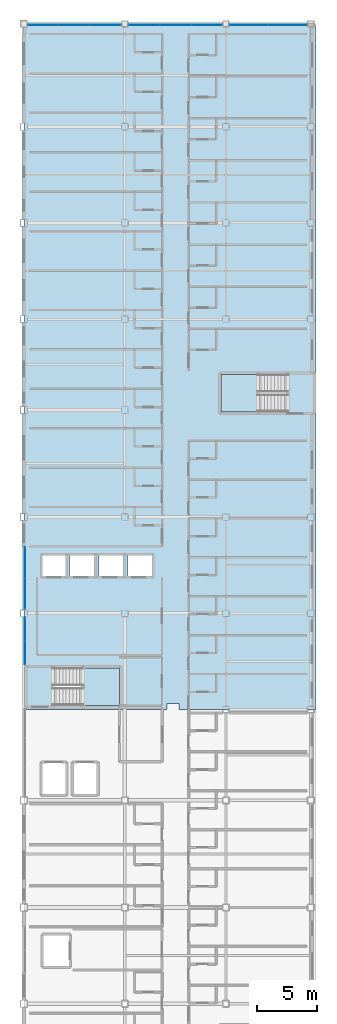
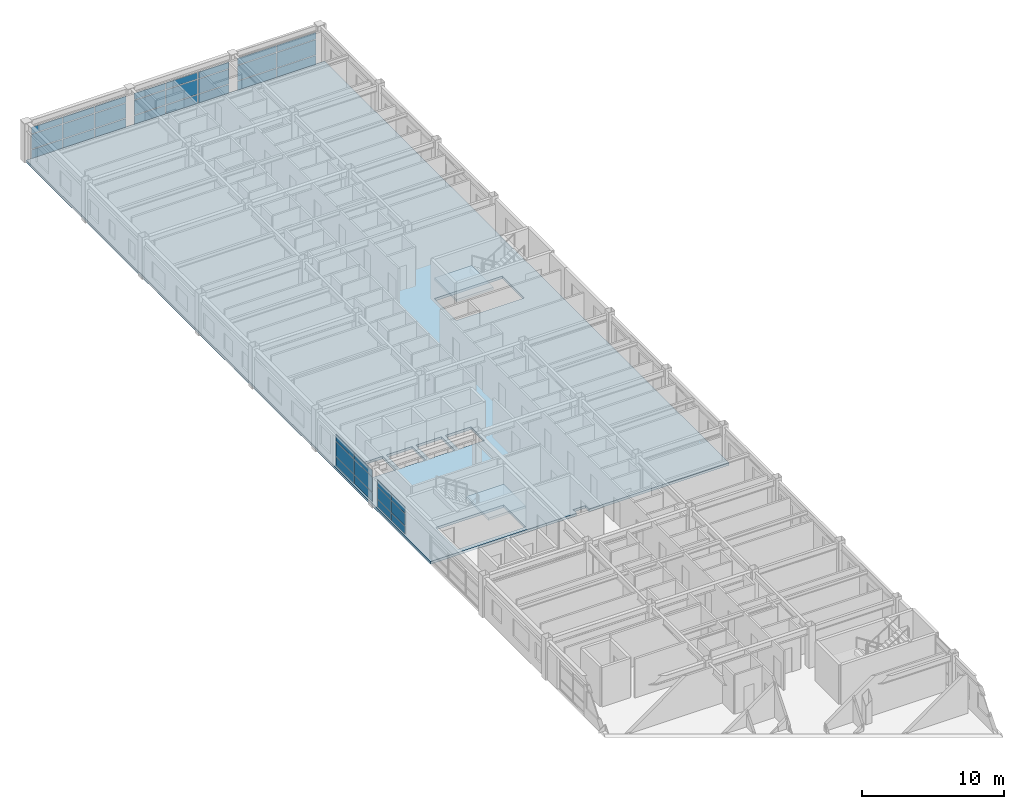
# One storey, part 23 of 36: 36 plates, 3 slabs, 7 elements without a shape of their own.
"""IFC4 building model written with IfcOpenShell, lengths in metres."""

from ifc_helpers import new_model, si_unit, direction, frame, origin, origin_2d, place, context, subcontext, project, spatial, polyline, rectangle, outline, extrude, material, layer, layer_set, type_object, element, aggregate, save


model = new_model("IFC4")

# Units and contexts
model_context = context("Model", 3, precision=1e-05, world=origin(), true_north=direction((0.0, 1.0)))
body_context = subcontext(model_context, "Body", "Model", "MODEL_VIEW")
ifc_project = project(units=[si_unit("LENGTHUNIT", "METRE"), si_unit("AREAUNIT", "SQUARE_METRE"), si_unit("VOLUMEUNIT", "CUBIC_METRE"), si_unit("PLANEANGLEUNIT", "RADIAN"), si_unit("MASSUNIT", "GRAM", prefix="KILO")], contexts=[model_context])

# Site, building, storey
site_placement = place(None, origin())
site = spatial("IfcSite", under=ifc_project, at=site_placement, CompositionType="ELEMENT")
building_placement = place(site_placement, origin())
building = spatial("IfcBuilding", under=site, at=building_placement, Name="Kazehara Bluff Congress Hotel", CompositionType="ELEMENT")
storey_placement = place(building_placement, frame((0.0, 0.0, 28.199951171875)))
storey = spatial("IfcBuildingStorey", under=building, at=storey_placement, Name="L06", CompositionType="ELEMENT", Elevation=28.199951171875)

# Curtain wall, plates
ifc_material_1 = material(Name="Anodised aluminium", Category="aluminium")
ifc_layer_1 = layer(ifc_material_1, 0.159912109375)
ifc_layer_set_1 = layer_set([ifc_layer_1], Name="Anodised aluminium")
curtain_wall_type_1 = type_object("IfcCurtainWallType", Name="TP-CW-171", PredefinedType="NOTDEFINED", material=ifc_layer_set_1)
curtain_wall_1_placement = place(storey_placement, origin())
curtain_wall_1 = element("IfcCurtainWall", 1, at=curtain_wall_1_placement, inside=storey, type_object=curtain_wall_type_1, Name="L06 curtain wall CW-171 CW-ENC-V5-L06-14791-10535", PredefinedType="NOTDEFINED")
ifc_material_2 = material(Name="Insulated low-E double glazing", Category="glass")
ifc_layer_2 = layer(ifc_material_2, 0.028076171875)
ifc_layer_set_2 = layer_set([ifc_layer_2], Name="Insulated low-E double glazing")
plate_type_1 = type_object("IfcPlateType", Name="TP-CWP-01", PredefinedType="CURTAIN_PANEL", material=ifc_layer_set_2)
plate_1_placement = place(storey_placement, frame((145.3203125, 105.35009765625, 0.06494140625), z_axis=(0.0, 0.0, 1.0), x_axis=(1.0, 0.0, 0.0)))
plate_1 = element("IfcPlate", 2, at=plate_1_placement, type_object=plate_type_1, Name="CW-171 panel 1.1", PredefinedType="CURTAIN_PANEL", context=body_context, shape_type="SweptSolid", body=[
    extrude(rectangle(XDim=2.5107421875, YDim=0.028076171875, at=origin_2d()), origin(), (0.0, 0.0, 1.0), 0.742431640625),
])
plate_2_placement = place(storey_placement, frame((145.3203125, 105.35009765625, 0.87255859375), z_axis=(0.0, 0.0, 1.0), x_axis=(1.0, 0.0, 0.0)))
plate_2 = element("IfcPlate", 3, at=plate_2_placement, type_object=plate_type_1, Name="CW-171 panel 1.2", PredefinedType="CURTAIN_PANEL", context=body_context, shape_type="SweptSolid", body=[
    extrude(rectangle(XDim=2.5107421875, YDim=0.028076171875, at=origin_2d()), origin(), (0.0, 0.0, 1.0), 1.25),
])
plate_3_placement = place(storey_placement, frame((145.3203125, 105.35009765625, 2.1875), z_axis=(0.0, 0.0, 1.0), x_axis=(1.0, 0.0, 0.0)))
plate_3 = element("IfcPlate", 4, at=plate_3_placement, type_object=plate_type_1, Name="CW-171 panel 1.3", PredefinedType="CURTAIN_PANEL", context=body_context, shape_type="SweptSolid", body=[
    extrude(rectangle(XDim=2.5107421875, YDim=0.028076171875, at=origin_2d()), origin(), (0.0, 0.0, 1.0), 0.552490234375),
])
plate_4_placement = place(storey_placement, frame((147.91259765625, 105.35009765625, 0.06494140625), z_axis=(0.0, 0.0, 1.0), x_axis=(1.0, 0.0, 0.0)))
plate_4 = element("IfcPlate", 5, at=plate_4_placement, type_object=plate_type_1, Name="CW-171 panel 2.1", PredefinedType="CURTAIN_PANEL", context=body_context, shape_type="SweptSolid", body=[
    extrude(rectangle(XDim=2.543212890625, YDim=0.028076171875, at=origin_2d()), origin(), (0.0, 0.0, 1.0), 0.742431640625),
])
plate_5_placement = place(storey_placement, frame((147.91259765625, 105.35009765625, 0.87255859375), z_axis=(0.0, 0.0, 1.0), x_axis=(1.0, 0.0, 0.0)))
plate_5 = element("IfcPlate", 6, at=plate_5_placement, type_object=plate_type_1, Name="CW-171 panel 2.2", PredefinedType="CURTAIN_PANEL", context=body_context, shape_type="SweptSolid", body=[
    extrude(rectangle(XDim=2.543212890625, YDim=0.028076171875, at=origin_2d()), origin(), (0.0, 0.0, 1.0), 1.25),
])
plate_6_placement = place(storey_placement, frame((147.91259765625, 105.35009765625, 2.1875), z_axis=(0.0, 0.0, 1.0), x_axis=(1.0, 0.0, 0.0)))
plate_6 = element("IfcPlate", 7, at=plate_6_placement, type_object=plate_type_1, Name="CW-171 panel 2.3", PredefinedType="CURTAIN_PANEL", context=body_context, shape_type="SweptSolid", body=[
    extrude(rectangle(XDim=2.543212890625, YDim=0.028076171875, at=origin_2d()), origin(), (0.0, 0.0, 1.0), 0.552490234375),
])
plate_7_placement = place(storey_placement, frame((150.504638671875, 105.35009765625, 0.06494140625), z_axis=(0.0, 0.0, 1.0), x_axis=(1.0, 0.0, 0.0)))
plate_7 = element("IfcPlate", 8, at=plate_7_placement, type_object=plate_type_1, Name="CW-171 panel 3.1", PredefinedType="CURTAIN_PANEL", context=body_context, shape_type="SweptSolid", body=[
    extrude(rectangle(XDim=2.5107421875, YDim=0.028076171875, at=origin_2d()), origin(), (0.0, 0.0, 1.0), 0.742431640625),
])
plate_8_placement = place(storey_placement, frame((150.504638671875, 105.35009765625, 0.87255859375), z_axis=(0.0, 0.0, 1.0), x_axis=(1.0, 0.0, 0.0)))
plate_8 = element("IfcPlate", 9, at=plate_8_placement, type_object=plate_type_1, Name="CW-171 panel 3.2", PredefinedType="CURTAIN_PANEL", context=body_context, shape_type="SweptSolid", body=[
    extrude(rectangle(XDim=2.5107421875, YDim=0.028076171875, at=origin_2d()), origin(), (0.0, 0.0, 1.0), 1.25),
])
plate_9_placement = place(storey_placement, frame((150.504638671875, 105.35009765625, 2.1875), z_axis=(0.0, 0.0, 1.0), x_axis=(1.0, 0.0, 0.0)))
plate_9 = element("IfcPlate", 10, at=plate_9_placement, type_object=plate_type_1, Name="CW-171 panel 3.3", PredefinedType="CURTAIN_PANEL", context=body_context, shape_type="SweptSolid", body=[
    extrude(rectangle(XDim=2.5107421875, YDim=0.028076171875, at=origin_2d()), origin(), (0.0, 0.0, 1.0), 0.552490234375),
])
aggregate(curtain_wall_1, [plate_1, plate_2, plate_3, plate_4, plate_5, plate_6, plate_7, plate_8, plate_9])

ifc_material_3 = material(Name="Anodised aluminium", Category="aluminium")
ifc_layer_3 = layer(ifc_material_3, 0.159912109375)
ifc_layer_set_3 = layer_set([ifc_layer_3], Name="Anodised aluminium")
curtain_wall_type_2 = type_object("IfcCurtainWallType", Name="TP-CW-172", PredefinedType="NOTDEFINED", material=ifc_layer_set_3)
curtain_wall_2_placement = place(storey_placement, origin())
curtain_wall_2 = element("IfcCurtainWall", 11, at=curtain_wall_2_placement, inside=storey, type_object=curtain_wall_type_2, Name="L06 curtain wall CW-172 CW-ENC-V5-L06-15630-10535", PredefinedType="NOTDEFINED")
plate_10_placement = place(storey_placement, frame((153.699462890625, 105.35009765625, 0.06494140625), z_axis=(0.0, 0.0, 1.0), x_axis=(1.0, 0.0, 0.0)))
plate_10 = element("IfcPlate", 12, at=plate_10_placement, type_object=plate_type_1, Name="CW-172 panel 1.1", PredefinedType="CURTAIN_PANEL", context=body_context, shape_type="SweptSolid", body=[
    extrude(rectangle(XDim=2.519287109375, YDim=0.028076171875, at=origin_2d()), origin(), (0.0, 0.0, 1.0), 0.742431640625),
])
plate_11_placement = place(storey_placement, frame((153.699462890625, 105.35009765625, 0.87255859375), z_axis=(0.0, 0.0, 1.0), x_axis=(1.0, 0.0, 0.0)))
plate_11 = element("IfcPlate", 13, at=plate_11_placement, type_object=plate_type_1, Name="CW-172 panel 1.2", PredefinedType="CURTAIN_PANEL", context=body_context, shape_type="SweptSolid", body=[
    extrude(rectangle(XDim=2.519287109375, YDim=0.028076171875, at=origin_2d()), origin(), (0.0, 0.0, 1.0), 1.25),
])
plate_12_placement = place(storey_placement, frame((153.699462890625, 105.35009765625, 2.1875), z_axis=(0.0, 0.0, 1.0), x_axis=(1.0, 0.0, 0.0)))
plate_12 = element("IfcPlate", 14, at=plate_12_placement, type_object=plate_type_1, Name="CW-172 panel 1.3", PredefinedType="CURTAIN_PANEL", context=body_context, shape_type="SweptSolid", body=[
    extrude(rectangle(XDim=2.519287109375, YDim=0.028076171875, at=origin_2d()), origin(), (0.0, 0.0, 1.0), 0.552490234375),
])
plate_13_placement = place(storey_placement, frame((156.300048828125, 105.35009765625, 0.06494140625), z_axis=(0.0, 0.0, 1.0), x_axis=(1.0, 0.0, 0.0)))
plate_13 = element("IfcPlate", 15, at=plate_13_placement, type_object=plate_type_1, Name="CW-172 panel 2.1", PredefinedType="CURTAIN_PANEL", context=body_context, shape_type="SweptSolid", body=[
    extrude(rectangle(XDim=2.5517578125, YDim=0.028076171875, at=origin_2d()), origin(), (0.0, 0.0, 1.0), 0.742431640625),
])
plate_14_placement = place(storey_placement, frame((156.300048828125, 105.35009765625, 0.87255859375), z_axis=(0.0, 0.0, 1.0), x_axis=(1.0, 0.0, 0.0)))
plate_14 = element("IfcPlate", 16, at=plate_14_placement, type_object=plate_type_1, Name="CW-172 panel 2.2", PredefinedType="CURTAIN_PANEL", context=body_context, shape_type="SweptSolid", body=[
    extrude(rectangle(XDim=2.5517578125, YDim=0.028076171875, at=origin_2d()), origin(), (0.0, 0.0, 1.0), 1.25),
])
plate_15_placement = place(storey_placement, frame((156.300048828125, 105.35009765625, 2.1875), z_axis=(0.0, 0.0, 1.0), x_axis=(1.0, 0.0, 0.0)))
plate_15 = element("IfcPlate", 17, at=plate_15_placement, type_object=plate_type_1, Name="CW-172 panel 2.3", PredefinedType="CURTAIN_PANEL", context=body_context, shape_type="SweptSolid", body=[
    extrude(rectangle(XDim=2.5517578125, YDim=0.028076171875, at=origin_2d()), origin(), (0.0, 0.0, 1.0), 0.552490234375),
])
plate_16_placement = place(storey_placement, frame((158.900390625, 105.35009765625, 0.06494140625), z_axis=(0.0, 0.0, 1.0), x_axis=(1.0, 0.0, 0.0)))
plate_16 = element("IfcPlate", 18, at=plate_16_placement, type_object=plate_type_1, Name="CW-172 panel 3.1", PredefinedType="CURTAIN_PANEL", context=body_context, shape_type="SweptSolid", body=[
    extrude(rectangle(XDim=2.519287109375, YDim=0.028076171875, at=origin_2d()), origin(), (0.0, 0.0, 1.0), 0.742431640625),
])
plate_17_placement = place(storey_placement, frame((158.900390625, 105.35009765625, 0.87255859375), z_axis=(0.0, 0.0, 1.0), x_axis=(1.0, 0.0, 0.0)))
plate_17 = element("IfcPlate", 19, at=plate_17_placement, type_object=plate_type_1, Name="CW-172 panel 3.2", PredefinedType="CURTAIN_PANEL", context=body_context, shape_type="SweptSolid", body=[
    extrude(rectangle(XDim=2.519287109375, YDim=0.028076171875, at=origin_2d()), origin(), (0.0, 0.0, 1.0), 1.25),
])
plate_18_placement = place(storey_placement, frame((158.900390625, 105.35009765625, 2.1875), z_axis=(0.0, 0.0, 1.0), x_axis=(1.0, 0.0, 0.0)))
plate_18 = element("IfcPlate", 20, at=plate_18_placement, type_object=plate_type_1, Name="CW-172 panel 3.3", PredefinedType="CURTAIN_PANEL", context=body_context, shape_type="SweptSolid", body=[
    extrude(rectangle(XDim=2.519287109375, YDim=0.028076171875, at=origin_2d()), origin(), (0.0, 0.0, 1.0), 0.552490234375),
])
aggregate(curtain_wall_2, [plate_10, plate_11, plate_12, plate_13, plate_14, plate_15, plate_16, plate_17, plate_18])

ifc_material_4 = material(Name="Anodised aluminium", Category="aluminium")
ifc_layer_4 = layer(ifc_material_4, 0.159912109375)
ifc_layer_set_4 = layer_set([ifc_layer_4], Name="Anodised aluminium")
curtain_wall_type_3 = type_object("IfcCurtainWallType", Name="TP-CW-173", PredefinedType="NOTDEFINED", material=ifc_layer_set_4)
curtain_wall_3_placement = place(storey_placement, origin())
curtain_wall_3 = element("IfcCurtainWall", 21, at=curtain_wall_3_placement, inside=storey, type_object=curtain_wall_type_3, Name="L06 curtain wall CW-173 CW-ENC-V5-L06-16402-10535", PredefinedType="NOTDEFINED")
plate_19_placement = place(storey_placement, frame((162.4150390625, 105.35009765625, 0.06005859375), z_axis=(0.0, 0.0, 1.0), x_axis=(1.0, 0.0, 0.0)))
plate_19 = element("IfcPlate", 22, at=plate_19_placement, type_object=plate_type_1, Name="CW-173 panel 1.1", PredefinedType="CURTAIN_PANEL", context=body_context, shape_type="SweptSolid", body=[
    extrude(rectangle(XDim=3.159912109375, YDim=0.028076171875, at=origin_2d()), origin(), (0.0, 0.0, 1.0), 0.764892578125),
])
plate_20_placement = place(storey_placement, frame((162.4150390625, 105.35009765625, 0.885009765625), z_axis=(0.0, 0.0, 1.0), x_axis=(1.0, 0.0, 0.0)))
plate_20 = element("IfcPlate", 23, at=plate_20_placement, type_object=plate_type_1, Name="CW-173 panel 1.2", PredefinedType="CURTAIN_PANEL", context=body_context, shape_type="SweptSolid", body=[
    extrude(rectangle(XDim=3.159912109375, YDim=0.028076171875, at=origin_2d()), origin(), (0.0, 0.0, 1.0), 1.2900390625),
])
plate_21_placement = place(storey_placement, frame((162.4150390625, 105.35009765625, 2.235107421875), z_axis=(0.0, 0.0, 1.0), x_axis=(1.0, 0.0, 0.0)))
plate_21 = element("IfcPlate", 24, at=plate_21_placement, type_object=plate_type_1, Name="CW-173 panel 1.3", PredefinedType="CURTAIN_PANEL", context=body_context, shape_type="SweptSolid", body=[
    extrude(rectangle(XDim=3.159912109375, YDim=0.028076171875, at=origin_2d()), origin(), (0.0, 0.0, 1.0), 0.56005859375),
])
plate_22_placement = place(storey_placement, frame((165.635009765625, 105.35009765625, 0.06005859375), z_axis=(0.0, 0.0, 1.0), x_axis=(1.0, 0.0, 0.0)))
plate_22 = element("IfcPlate", 25, at=plate_22_placement, type_object=plate_type_1, Name="CW-173 panel 2.1", PredefinedType="CURTAIN_PANEL", context=body_context, shape_type="SweptSolid", body=[
    extrude(rectangle(XDim=3.159912109375, YDim=0.028076171875, at=origin_2d()), origin(), (0.0, 0.0, 1.0), 0.764892578125),
])
plate_23_placement = place(storey_placement, frame((165.635009765625, 105.35009765625, 0.885009765625), z_axis=(0.0, 0.0, 1.0), x_axis=(1.0, 0.0, 0.0)))
plate_23 = element("IfcPlate", 26, at=plate_23_placement, type_object=plate_type_1, Name="CW-173 panel 2.2", PredefinedType="CURTAIN_PANEL", context=body_context, shape_type="SweptSolid", body=[
    extrude(rectangle(XDim=3.159912109375, YDim=0.028076171875, at=origin_2d()), origin(), (0.0, 0.0, 1.0), 1.2900390625),
])
plate_24_placement = place(storey_placement, frame((165.635009765625, 105.35009765625, 2.235107421875), z_axis=(0.0, 0.0, 1.0), x_axis=(1.0, 0.0, 0.0)))
plate_24 = element("IfcPlate", 27, at=plate_24_placement, type_object=plate_type_1, Name="CW-173 panel 2.3", PredefinedType="CURTAIN_PANEL", context=body_context, shape_type="SweptSolid", body=[
    extrude(rectangle(XDim=3.159912109375, YDim=0.028076171875, at=origin_2d()), origin(), (0.0, 0.0, 1.0), 0.56005859375),
])
aggregate(curtain_wall_3, [plate_19, plate_20, plate_21, plate_22, plate_23, plate_24])

ifc_material_5 = material(Name="Anodised aluminium", Category="aluminium")
ifc_layer_5 = layer(ifc_material_5, 0.159912109375)
ifc_layer_set_5 = layer_set([ifc_layer_5], Name="Anodised aluminium")
curtain_wall_type_4 = type_object("IfcCurtainWallType", Name="TP-CW-179", PredefinedType="NOTDEFINED", material=ifc_layer_set_5)
curtain_wall_4_placement = place(storey_placement, origin())
curtain_wall_4 = element("IfcCurtainWall", 28, at=curtain_wall_4_placement, inside=storey, type_object=curtain_wall_type_4, Name="L06 curtain wall CW-179 CW-ENC-V5-L06-14380-5938", PredefinedType="NOTDEFINED")
plate_25_placement = place(storey_placement, frame((143.800048828125, 58.077392578125, 0.06005859375), z_axis=(0.0, 0.0, 1.0), x_axis=(0.0, 1.0, 0.0)))
plate_25 = element("IfcPlate", 29, at=plate_25_placement, type_object=plate_type_1, Name="CW-179 panel 1.1", PredefinedType="CURTAIN_PANEL", context=body_context, shape_type="SweptSolid", body=[
    extrude(rectangle(XDim=2.534912109375, YDim=0.028076171875, at=origin_2d()), origin(), (0.0, 0.0, 1.0), 0.75),
])
plate_26_placement = place(storey_placement, frame((143.800048828125, 58.077392578125, 0.8701171875), z_axis=(0.0, 0.0, 1.0), x_axis=(0.0, 1.0, 0.0)))
plate_26 = element("IfcPlate", 30, at=plate_26_placement, type_object=plate_type_1, Name="CW-179 panel 1.2", PredefinedType="CURTAIN_PANEL", context=body_context, shape_type="SweptSolid", body=[
    extrude(rectangle(XDim=2.534912109375, YDim=0.028076171875, at=origin_2d()), origin(), (0.0, 0.0, 1.0), 1.2548828125),
])
plate_27_placement = place(storey_placement, frame((143.800048828125, 58.077392578125, 2.18505859375), z_axis=(0.0, 0.0, 1.0), x_axis=(0.0, 1.0, 0.0)))
plate_27 = element("IfcPlate", 31, at=plate_27_placement, type_object=plate_type_1, Name="CW-179 panel 1.3", PredefinedType="CURTAIN_PANEL", context=body_context, shape_type="SweptSolid", body=[
    extrude(rectangle(XDim=2.534912109375, YDim=0.028076171875, at=origin_2d()), origin(), (0.0, 0.0, 1.0), 0.56005859375),
])
plate_28_placement = place(storey_placement, frame((143.800048828125, 60.672607421875, 0.06005859375), z_axis=(0.0, 0.0, 1.0), x_axis=(0.0, 1.0, 0.0)))
plate_28 = element("IfcPlate", 32, at=plate_28_placement, type_object=plate_type_1, Name="CW-179 panel 2.1", PredefinedType="CURTAIN_PANEL", context=body_context, shape_type="SweptSolid", body=[
    extrude(rectangle(XDim=2.534912109375, YDim=0.028076171875, at=origin_2d()), origin(), (0.0, 0.0, 1.0), 0.75),
])
plate_29_placement = place(storey_placement, frame((143.800048828125, 60.672607421875, 0.8701171875), z_axis=(0.0, 0.0, 1.0), x_axis=(0.0, 1.0, 0.0)))
plate_29 = element("IfcPlate", 33, at=plate_29_placement, type_object=plate_type_1, Name="CW-179 panel 2.2", PredefinedType="CURTAIN_PANEL", context=body_context, shape_type="SweptSolid", body=[
    extrude(rectangle(XDim=2.534912109375, YDim=0.028076171875, at=origin_2d()), origin(), (0.0, 0.0, 1.0), 1.2548828125),
])
plate_30_placement = place(storey_placement, frame((143.800048828125, 60.672607421875, 2.18505859375), z_axis=(0.0, 0.0, 1.0), x_axis=(0.0, 1.0, 0.0)))
plate_30 = element("IfcPlate", 34, at=plate_30_placement, type_object=plate_type_1, Name="CW-179 panel 2.3", PredefinedType="CURTAIN_PANEL", context=body_context, shape_type="SweptSolid", body=[
    extrude(rectangle(XDim=2.534912109375, YDim=0.028076171875, at=origin_2d()), origin(), (0.0, 0.0, 1.0), 0.56005859375),
])
aggregate(curtain_wall_4, [plate_25, plate_26, plate_27, plate_28, plate_29, plate_30])

ifc_material_6 = material(Name="Anodised aluminium", Category="aluminium")
ifc_layer_6 = layer(ifc_material_6, 0.159912109375)
ifc_layer_set_6 = layer_set([ifc_layer_6], Name="Anodised aluminium")
curtain_wall_type_5 = type_object("IfcCurtainWallType", Name="TP-CW-178", PredefinedType="NOTDEFINED", material=ifc_layer_set_6)
curtain_wall_5_placement = place(storey_placement, origin())
curtain_wall_5 = element("IfcCurtainWall", 35, at=curtain_wall_5_placement, inside=storey, type_object=curtain_wall_type_5, Name="L06 curtain wall CW-178 CW-ENC-V5-L06-14380-5416", PredefinedType="NOTDEFINED")
ifc_material_7 = material(Name="Insulated low-E double glazing", Category="glass")
ifc_layer_7 = layer(ifc_material_7, 0.02001953125)
ifc_layer_set_7 = layer_set([ifc_layer_7], Name="Insulated low-E double glazing")
plate_type_2 = type_object("IfcPlateType", Name="TP-CWP-03", PredefinedType="CURTAIN_PANEL", material=ifc_layer_set_7)
plate_31_placement = place(storey_placement, frame((143.800048828125, 53.172607421875, 0.06005859375), z_axis=(0.0, 0.0, 1.0), x_axis=(0.0, 1.0, 0.0)))
plate_31 = element("IfcPlate", 36, at=plate_31_placement, type_object=plate_type_2, Name="CW-178 panel 1.1", PredefinedType="CURTAIN_PANEL", context=body_context, shape_type="SweptSolid", body=[
    extrude(rectangle(XDim=1.905029296875, YDim=0.02001953125, at=origin_2d()), origin(), (0.0, 0.0, 1.0), 0.64501953125),
])
plate_32_placement = place(storey_placement, frame((143.800048828125, 53.172607421875, 0.76513671875), z_axis=(0.0, 0.0, 1.0), x_axis=(0.0, 1.0, 0.0)))
plate_32 = element("IfcPlate", 37, at=plate_32_placement, type_object=plate_type_2, Name="CW-178 panel 1.2", PredefinedType="CURTAIN_PANEL", context=body_context, shape_type="SweptSolid", body=[
    extrude(rectangle(XDim=1.905029296875, YDim=0.02001953125, at=origin_2d()), origin(), (0.0, 0.0, 1.0), 1.010009765625),
])
plate_33_placement = place(storey_placement, frame((143.800048828125, 53.172607421875, 1.8349609375), z_axis=(0.0, 0.0, 1.0), x_axis=(0.0, 1.0, 0.0)))
plate_33 = element("IfcPlate", 38, at=plate_33_placement, type_object=plate_type_2, Name="CW-178 panel 1.3", PredefinedType="CURTAIN_PANEL", context=body_context, shape_type="SweptSolid", body=[
    extrude(rectangle(XDim=1.905029296875, YDim=0.02001953125, at=origin_2d()), origin(), (0.0, 0.0, 1.0), 0.56005859375),
])
plate_34_placement = place(storey_placement, frame((143.800048828125, 55.137451171875, 0.06005859375), z_axis=(0.0, 0.0, 1.0), x_axis=(0.0, 1.0, 0.0)))
plate_34 = element("IfcPlate", 39, at=plate_34_placement, type_object=plate_type_2, Name="CW-178 panel 2.1", PredefinedType="CURTAIN_PANEL", context=body_context, shape_type="SweptSolid", body=[
    extrude(rectangle(XDim=1.905029296875, YDim=0.02001953125, at=origin_2d()), origin(), (0.0, 0.0, 1.0), 0.64501953125),
])
plate_35_placement = place(storey_placement, frame((143.800048828125, 55.137451171875, 0.76513671875), z_axis=(0.0, 0.0, 1.0), x_axis=(0.0, 1.0, 0.0)))
plate_35 = element("IfcPlate", 40, at=plate_35_placement, type_object=plate_type_2, Name="CW-178 panel 2.2", PredefinedType="CURTAIN_PANEL", context=body_context, shape_type="SweptSolid", body=[
    extrude(rectangle(XDim=1.905029296875, YDim=0.02001953125, at=origin_2d()), origin(), (0.0, 0.0, 1.0), 1.010009765625),
])
plate_36_placement = place(storey_placement, frame((143.800048828125, 55.137451171875, 1.8349609375), z_axis=(0.0, 0.0, 1.0), x_axis=(0.0, 1.0, 0.0)))
plate_36 = element("IfcPlate", 41, at=plate_36_placement, type_object=plate_type_2, Name="CW-178 panel 2.3", PredefinedType="CURTAIN_PANEL", context=body_context, shape_type="SweptSolid", body=[
    extrude(rectangle(XDim=1.905029296875, YDim=0.02001953125, at=origin_2d()), origin(), (0.0, 0.0, 1.0), 0.56005859375),
])
aggregate(curtain_wall_5, [plate_31, plate_32, plate_33, plate_34, plate_35, plate_36])

# Slab
ifc_material_8 = material(Name="Concrete C36/45", Category="concrete")
ifc_layer_8 = layer(ifc_material_8, 0.219970703125)
ifc_layer_set_8 = layer_set([ifc_layer_8], Name="Concrete C36/45")
slab_type_1 = type_object("IfcSlabType", Name="TP-SL-220", PredefinedType="FLOOR", material=ifc_layer_set_8)
slab_1_placement = place(storey_placement, frame((0.0, 0.0, -0.219970703125)))
element("IfcSlab", 42, at=slab_1_placement, inside=storey, type_object=slab_type_1, Name="L06 V5 composite floor slab N", PredefinedType="FLOOR", context=body_context, shape_type="SweptSolid", body=[
    extrude(outline(polyline([(168.0, 105.449951171875), (168.0, 48.449951171875), (156.60009765625, 48.449951171875), (156.60009765625, 48.949951171875), (155.60009765625, 48.949951171875), (155.60009765625, 48.449951171875), (143.699951171875, 48.449951171875), (143.699951171875, 105.449951171875), (168.0, 105.449951171875)]), holes=[polyline([(146.125, 48.800048828125), (151.64990234375, 48.800048828125), (151.64990234375, 51.89990234375), (146.125, 51.89990234375), (146.125, 48.800048828125)]), polyline([(165.625, 76.300048828125), (160.10009765625, 76.300048828125), (160.10009765625, 73.199951171875), (165.625, 73.199951171875), (165.625, 76.300048828125)]), polyline([(145.14990234375, 59.449951171875), (147.25, 59.449951171875), (147.25, 61.35009765625), (145.14990234375, 61.35009765625), (145.14990234375, 59.449951171875)]), polyline([(147.550048828125, 59.449951171875), (149.64990234375, 59.449951171875), (149.64990234375, 61.35009765625), (147.550048828125, 61.35009765625), (147.550048828125, 59.449951171875)]), polyline([(149.949951171875, 59.449951171875), (152.050048828125, 59.449951171875), (152.050048828125, 61.35009765625), (149.949951171875, 61.35009765625), (149.949951171875, 59.449951171875)]), polyline([(152.35009765625, 59.449951171875), (154.449951171875, 59.449951171875), (154.449951171875, 61.35009765625), (152.35009765625, 61.35009765625), (152.35009765625, 59.449951171875)])]), origin(), (0.0, 0.0, 1.0), 0.219970703125),
])

# Stair, slab
ifc_material_9 = material(Name="Concrete C36/45", Category="concrete")
stair_type = type_object("IfcStairType", Name="TP-ST-T03", PredefinedType="HALF_TURN_STAIR", material=ifc_material_9)
stair_1_placement = place(storey_placement, origin())
stair_1 = element("IfcStair", 43, at=stair_1_placement, inside=storey, type_object=stair_type, Name="L06 Escape stair ST-11", PredefinedType="HALF_TURN_STAIR")
ifc_material_10 = material(Name="Concrete C36/45", Category="concrete")
ifc_layer_9 = layer(ifc_material_10, 0.199951171875)
ifc_layer_set_9 = layer_set([ifc_layer_9], Name="Concrete C36/45")
slab_type_2 = type_object("IfcSlabType", Name="TP-SLD-200", PredefinedType="LANDING", material=ifc_layer_set_9)
slab_2_placement = place(storey_placement, frame((0.0, 0.0, 1.60009765625)))
slab_2 = element("IfcSlab", 44, at=slab_2_placement, type_object=slab_type_2, Name="ST-11 landing 1", PredefinedType="LANDING", context=body_context, shape_type="SweptSolid", body=[
    extrude(outline(polyline([(148.6201171875, 48.800048828125), (151.64990234375, 48.800048828125), (151.64990234375, 51.89990234375), (148.6201171875, 51.89990234375), (148.6201171875, 48.800048828125)])), origin(), (0.0, 0.0, 1.0), 0.199951171875),
])
aggregate(stair_1, [slab_2])

stair_2_placement = place(storey_placement, origin())
stair_2 = element("IfcStair", 45, at=stair_2_placement, inside=storey, type_object=stair_type, Name="L06 Escape stair ST-12", PredefinedType="HALF_TURN_STAIR")
slab_3_placement = place(storey_placement, frame((0.0, 0.0, 1.60009765625)))
slab_3 = element("IfcSlab", 46, at=slab_3_placement, type_object=slab_type_2, Name="ST-12 landing 1", PredefinedType="LANDING", context=body_context, shape_type="SweptSolid", body=[
    extrude(outline(polyline([(163.1298828125, 76.300048828125), (160.10009765625, 76.300048828125), (160.10009765625, 73.199951171875), (163.1298828125, 73.199951171875), (163.1298828125, 76.300048828125)])), origin(), (0.0, 0.0, 1.0), 0.199951171875),
])
aggregate(stair_2, [slab_3])

save(model, "model.ifc")
